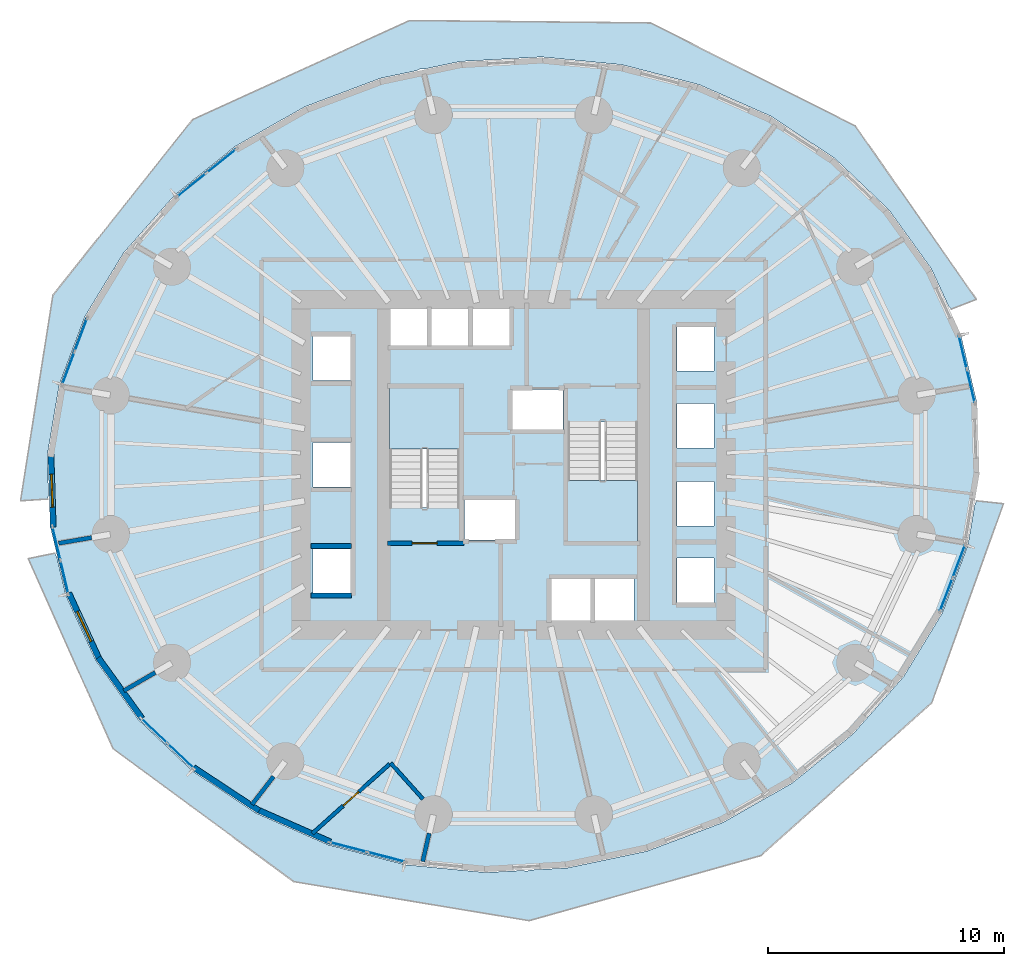
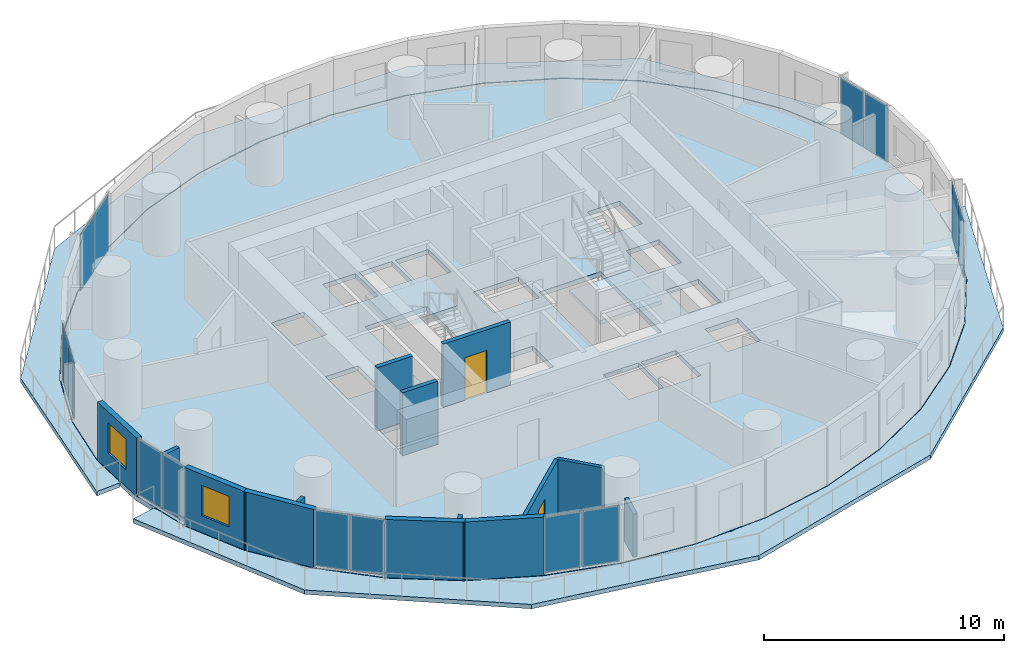
# One storey, part 6 of 14: 14 plates, 14 walls, 5 slabs, 2 doors, 2 windows, 4 openings, 9 elements without a shape of their own.
"""IFC4 building model written with IfcOpenShell, lengths in metres."""

from ifc_helpers import new_model, si_unit, direction, frame, frame_2d, origin, origin_2d, place, context, subcontext, project, spatial, polyline, rectangle, outline, extrude, material, layer, layer_set, type_object, element, fill, aggregate, save


model = new_model("IFC4")

# Units and contexts
model_context = context("Model", 3, precision=1e-05, world=origin(), true_north=direction((0.0, 1.0)))
body_context = subcontext(model_context, "Body", "Model", "MODEL_VIEW")
ifc_project = project(units=[si_unit("LENGTHUNIT", "METRE"), si_unit("AREAUNIT", "SQUARE_METRE"), si_unit("VOLUMEUNIT", "CUBIC_METRE"), si_unit("PLANEANGLEUNIT", "RADIAN"), si_unit("MASSUNIT", "GRAM", prefix="KILO")], contexts=[model_context])

# Site, building, storey
site_placement = place(None, origin())
site = spatial("IfcSite", under=ifc_project, at=site_placement, CompositionType="ELEMENT")
building_placement = place(site_placement, origin())
building = spatial("IfcBuilding", under=site, at=building_placement, Name="Veldorim Arch Residences", CompositionType="ELEMENT")
storey_placement = place(building_placement, frame((0.0, 0.0, 40.800048828125)))
storey = spatial("IfcBuildingStorey", under=building, at=storey_placement, Name="L11", CompositionType="ELEMENT", Elevation=40.800048828125)

# Slabs
ifc_material_1 = material(Name="Concrete C40/50", Category="concrete")
ifc_layer_1 = layer(ifc_material_1, 0.219970703125, Name="Planted Crescent Cantilever Balcony Slab 220")
ifc_layer_set_1 = layer_set([ifc_layer_1], Name="Concrete C40/50")
slab_type_1 = type_object("IfcSlabType", Name="Planted Crescent Cantilever Balcony Slab 220", PredefinedType="FLOOR", material=ifc_layer_set_1)
slab_1_placement = place(storey_placement, frame((0.0, 0.0, -0.219970703125)))
element("IfcSlab", 1, at=slab_1_placement, inside=storey, type_object=slab_type_1, Name="L11 planted crescent balcony slab A", PredefinedType="FLOOR", context=body_context, shape_type="SweptSolid", body=[
    extrude(outline(polyline([(50.406494140625, 30.739013671875), (49.69189453125, 32.292236328125), (47.8857421875, 34.797607421875), (45.596923828125, 36.97509765625), (42.89501953125, 38.7578125), (39.8623046875, 40.09228515625), (36.591064453125, 40.93798828125), (33.180419921875, 41.268798828125), (29.73388671875, 41.075439453125), (28.247802734375, 40.761962890625), (28.050048828125, 40.76171875), (27.86962890625, 40.682373046875), (26.356201171875, 40.36328125), (23.149658203125, 39.154052734375), (20.212158203125, 37.484375), (17.632568359375, 35.405029296875), (15.489501953125, 32.979248046875), (13.84765625, 30.2802734375), (12.7578125, 27.390380859375), (12.252197265625, 24.397216796875), (12.3046875, 22.734619140625), (12.264404296875, 22.548095703125), (11.11669921875, 22.47412109375), (12.486083984375, 31.179931640625), (18.40283203125, 38.614990234375), (27.594970703125, 42.811767578125), (37.791748046875, 42.710205078125), (46.4658203125, 38.35107421875), (51.596435546875, 31.006591796875), (50.525390625, 30.588134765625), (50.406494140625, 30.739013671875)])), origin(), (0.0, 0.0, 1.0), 0.219970703125),
])
slab_2_placement = place(storey_placement, frame((0.0, 0.0, -0.219970703125)))
element("IfcSlab", 2, at=slab_2_placement, inside=storey, type_object=slab_type_1, Name="L11 planted crescent balcony slab B", PredefinedType="FLOOR", context=body_context, shape_type="SweptSolid", body=[
    extrude(outline(polyline([(12.656494140625, 20.08447265625), (13.03955078125, 18.465576171875), (14.30810546875, 15.707763671875), (16.1142578125, 13.202392578125), (18.403076171875, 11.02490234375), (21.10498046875, 9.2421875), (24.1376953125, 7.90771484375), (27.408935546875, 7.06201171875), (30.819580078125, 6.731201171875), (32.364013671875, 6.81787109375), (32.55908203125, 6.7880859375), (32.750244140625, 6.839599609375), (34.26611328125, 6.924560546875), (37.643798828125, 7.63671875), (40.850341796875, 8.845947265625), (43.787841796875, 10.515625), (46.367431640625, 12.594970703125), (48.510498046875, 15.020751953125), (50.15234375, 17.7197265625), (51.2421875, 20.609619140625), (51.527099609375, 22.295654296875), (51.602294921875, 22.471923828125), (52.74560546875, 22.34765625), (49.70849609375, 13.9189453125), (42.4716796875, 7.4482421875), (32.654541015625, 4.6904296875), (22.685791015625, 6.34423828125), (15.03466796875, 11.978759765625), (11.441650390625, 20.02587890625), (12.56884765625, 20.253662109375), (12.656494140625, 20.08447265625)])), origin(), (0.0, 0.0, 1.0), 0.219970703125),
])

# Stair, slab
ifc_material_2 = material(Name="Concrete C40/50", Category="concrete")
stair_type = type_object("IfcStairType", Name="Reinforced Concrete Dogleg Exit Staircase", PredefinedType="HALF_TURN_STAIR", material=ifc_material_2)
stair_1_placement = place(storey_placement, origin())
stair_1 = element("IfcStair", 3, at=stair_1_placement, inside=storey, type_object=stair_type, Name="L11 Exit Staircase ST-1", PredefinedType="HALF_TURN_STAIR")
ifc_material_3 = material(Name="Concrete C40/50", Category="concrete")
ifc_layer_2 = layer(ifc_material_3, 0.199951171875, Name="Reinforced Concrete Stair Landing 200")
ifc_layer_set_2 = layer_set([ifc_layer_2], Name="Concrete C40/50")
slab_type_2 = type_object("IfcSlabType", Name="Reinforced Concrete Stair Landing 200", PredefinedType="LANDING", material=ifc_layer_set_2)
slab_3_placement = place(storey_placement, frame((0.0, 0.0, 1.39990234375)))
slab_3 = element("IfcSlab", 4, at=slab_3_placement, type_object=slab_type_2, Name="ST-1 landing 1", PredefinedType="LANDING", context=body_context, shape_type="SweptSolid", body=[
    extrude(outline(polyline([(29.7099609375, 24.669921875), (29.7099609375, 27.25), (26.75, 27.25), (26.75, 24.669921875), (29.7099609375, 24.669921875)])), origin(), (0.0, 0.0, 1.0), 0.199951171875),
])
aggregate(stair_1, [slab_3])

stair_2_placement = place(storey_placement, origin())
stair_2 = element("IfcStair", 5, at=stair_2_placement, inside=storey, type_object=stair_type, Name="L11 Exit Staircase ST-2", PredefinedType="HALF_TURN_STAIR")
slab_4_placement = place(storey_placement, frame((0.0, 0.0, 1.39990234375)))
slab_4 = element("IfcSlab", 6, at=slab_4_placement, type_object=slab_type_2, Name="ST-2 landing 1", PredefinedType="LANDING", context=body_context, shape_type="SweptSolid", body=[
    extrude(outline(polyline([(34.2900390625, 23.330078125), (34.2900390625, 20.75), (37.25, 20.75), (37.25, 23.330078125), (34.2900390625, 23.330078125)])), origin(), (0.0, 0.0, 1.0), 0.199951171875),
])
aggregate(stair_2, [slab_4])

# Slab
ifc_material_4 = material(Name="Concrete C40/50", Category="concrete")
ifc_layer_3 = layer(ifc_material_4, 0.239990234375, Name="Typical Residential Floor Slab 240")
ifc_layer_set_3 = layer_set([ifc_layer_3], Name="Concrete C40/50")
slab_type_3 = type_object("IfcSlabType", Name="Typical Residential Floor Slab 240", PredefinedType="FLOOR", material=ifc_layer_set_3)
slab_5_placement = place(storey_placement, frame((0.0, 0.0, -0.239990234375)))
element("IfcSlab", 7, at=slab_5_placement, inside=storey, type_object=slab_type_3, Name="L11 tower structural floor slab", PredefinedType="FLOOR", context=body_context, shape_type="SweptSolid", body=[
    extrude(outline(polyline([(51.6279296875, 26.60498046875), (50.936767578125, 29.526123046875), (49.670166015625, 32.279541015625), (47.86669921875, 34.78125), (45.581298828125, 36.955322265625), (42.883056640625, 38.73583984375), (39.854248046875, 40.068603515625), (36.586669921875, 40.9130859375), (33.1796875, 41.243896484375), (29.737060546875, 41.050537109375), (26.363037109375, 40.339111328125), (23.160400390625, 39.13134765625), (20.226318359375, 37.463623046875), (17.64990234375, 35.386962890625), (15.509521484375, 32.96435546875), (13.870361328125, 30.269287109375), (12.781982421875, 27.3837890625), (12.27734375, 24.3955078125), (12.3720703125, 21.39501953125), (13.063232421875, 18.473876953125), (14.329833984375, 15.720458984375), (16.13330078125, 13.21875), (18.418701171875, 11.044677734375), (21.116943359375, 9.26416015625), (24.145751953125, 7.931396484375), (27.413330078125, 7.0869140625), (30.8203125, 6.756103515625), (34.262939453125, 6.949462890625), (37.636962890625, 7.660888671875), (40.839599609375, 8.86865234375), (43.773681640625, 10.536376953125), (46.35009765625, 12.613037109375), (48.490478515625, 15.03564453125), (50.129638671875, 17.730712890625), (51.218017578125, 20.6162109375), (51.72265625, 23.6044921875), (51.6279296875, 26.60498046875)]), holes=[polyline([(23.510009765625, 20.43994140625), (25.090087890625, 20.43994140625), (25.090087890625, 18.56005859375), (23.510009765625, 18.56005859375), (23.510009765625, 20.43994140625)]), polyline([(29.909912109375, 22.544921875), (32.090087890625, 22.544921875), (32.090087890625, 20.81494140625), (29.909912109375, 20.81494140625), (29.909912109375, 22.544921875)]), polyline([(23.510009765625, 24.93994140625), (25.090087890625, 24.93994140625), (25.090087890625, 23.06005859375), (23.510009765625, 23.06005859375), (23.510009765625, 24.93994140625)]), polyline([(26.75, 27.25), (29.7099609375, 27.25), (29.7099609375, 22.195068359375), (26.75, 22.195068359375), (26.75, 27.25)]), polyline([(23.510009765625, 29.43994140625), (25.090087890625, 29.43994140625), (25.090087890625, 27.56005859375), (23.510009765625, 27.56005859375), (23.510009765625, 29.43994140625)]), polyline([(26.760009765625, 30.7900390625), (28.340087890625, 30.7900390625), (28.340087890625, 28.909912109375), (26.760009765625, 28.909912109375), (26.760009765625, 30.7900390625)]), polyline([(28.510009765625, 30.7900390625), (30.090087890625, 30.7900390625), (30.090087890625, 28.909912109375), (28.510009765625, 28.909912109375), (28.510009765625, 30.7900390625)]), polyline([(30.260009765625, 30.7900390625), (31.840087890625, 30.7900390625), (31.840087890625, 28.909912109375), (30.260009765625, 28.909912109375), (30.260009765625, 30.7900390625)]), polyline([(33.610107421875, 19.2900390625), (35.2900390625, 19.2900390625), (35.2900390625, 17.2099609375), (33.610107421875, 17.2099609375), (33.610107421875, 19.2900390625)]), polyline([(35.409912109375, 19.2900390625), (37.090087890625, 19.2900390625), (37.090087890625, 17.2099609375), (35.409912109375, 17.2099609375), (35.409912109375, 19.2900390625)]), polyline([(38.909912109375, 20.0400390625), (40.489990234375, 20.0400390625), (40.489990234375, 18.159912109375), (38.909912109375, 18.159912109375), (38.909912109375, 20.0400390625)]), polyline([(38.909912109375, 23.2900390625), (40.489990234375, 23.2900390625), (40.489990234375, 21.409912109375), (38.909912109375, 21.409912109375), (38.909912109375, 23.2900390625)]), polyline([(34.2900390625, 25.804931640625), (37.25, 25.804931640625), (37.25, 20.75), (34.2900390625, 20.75), (34.2900390625, 25.804931640625)]), polyline([(38.909912109375, 26.590087890625), (40.489990234375, 26.590087890625), (40.489990234375, 24.7099609375), (38.909912109375, 24.7099609375), (38.909912109375, 26.590087890625)]), polyline([(31.909912109375, 27.18505859375), (34.090087890625, 27.18505859375), (34.090087890625, 25.455078125), (31.909912109375, 25.455078125), (31.909912109375, 27.18505859375)]), polyline([(38.909912109375, 29.840087890625), (40.489990234375, 29.840087890625), (40.489990234375, 27.9599609375), (38.909912109375, 27.9599609375), (38.909912109375, 29.840087890625)])]), origin(), (0.0, 0.0, 1.0), 0.239990234375),
])

# Curtain wall, plates
ifc_material_5 = material(Name="Aluminium", Category="aluminium")
curtain_wall_type = type_object("IfcCurtainWallType", Name="Zone 1 Acoustic Low-E Unitised Curtain Wall", PredefinedType="NOTDEFINED", material=ifc_material_5)
curtain_wall_1_placement = place(storey_placement, origin())
curtain_wall_1 = element("IfcCurtainWall", 8, at=curtain_wall_1_placement, inside=storey, type_object=curtain_wall_type, Name="L11 unitised curtain wall bay 01", PredefinedType="NOTDEFINED")
ifc_material_6 = material(Name="Laminated Low-E Glass", Category="glass")
ifc_layer_4 = layer(ifc_material_6, 0.02587890625, Name="Zone 1 Acoustic Low-E Unitised Curtain Wall Glazing Panel 26")
ifc_layer_set_4 = layer_set([ifc_layer_4], Name="Laminated Low-E Glass")
plate_type = type_object("IfcPlateType", Name="Zone 1 Acoustic Low-E Unitised Curtain Wall Glazing Panel 26", PredefinedType="CURTAIN_PANEL", material=ifc_layer_set_4)
plate_1_placement = place(storey_placement, frame((51.025634765625, 28.75927734375, 0.06494140625), z_axis=(0.0, 0.0, 1.0), x_axis=(0.230257196808, -0.973129808051, 0.0)))
plate_1 = element("IfcPlate", 9, at=plate_1_placement, type_object=plate_type, Name="CW-Z1 panel 1.1", PredefinedType="CURTAIN_PANEL", context=body_context, shape_type="SweptSolid", body=[
    extrude(rectangle(XDim=1.4033203125, YDim=0.02587890625, at=origin_2d()), origin(), (0.0, 0.0, 1.0), 2.830078125),
])
plate_2_placement = place(storey_placement, frame((51.36376953125, 27.330322265625, 0.06494140625), z_axis=(0.0, 0.0, 1.0), x_axis=(0.230257196808, -0.973129808051, 0.0)))
plate_2 = element("IfcPlate", 10, at=plate_2_placement, type_object=plate_type, Name="CW-Z1 panel 2.1", PredefinedType="CURTAIN_PANEL", context=body_context, shape_type="SweptSolid", body=[
    extrude(rectangle(XDim=1.4033203125, YDim=0.02587890625, at=origin_2d()), origin(), (0.0, 0.0, 1.0), 2.830078125),
])
aggregate(curtain_wall_1, [plate_1, plate_2])

curtain_wall_2_placement = place(storey_placement, origin())
curtain_wall_2 = element("IfcCurtainWall", 11, at=curtain_wall_2_placement, inside=storey, type_object=curtain_wall_type, Name="L11 unitised curtain wall bay 13", PredefinedType="NOTDEFINED")
plate_3_placement = place(storey_placement, frame((18.363037109375, 35.84619140625, 0.06494140625), z_axis=(0.0, 0.0, 1.0), x_axis=(0.77856687477, 0.627561647578, 0.0)))
plate_3 = element("IfcPlate", 12, at=plate_3_placement, type_object=plate_type, Name="CW-Z1 panel 1.1", PredefinedType="CURTAIN_PANEL", context=body_context, shape_type="SweptSolid", body=[
    extrude(rectangle(XDim=1.55712890625, YDim=0.02587890625, at=origin_2d()), origin(), (0.0, 0.0, 1.0), 2.830078125),
])
plate_4_placement = place(storey_placement, frame((19.6259765625, 36.8642578125, 0.06494140625), z_axis=(0.0, 0.0, 1.0), x_axis=(0.77856687477, 0.627561647578, 0.0)))
plate_4 = element("IfcPlate", 13, at=plate_4_placement, type_object=plate_type, Name="CW-Z1 panel 2.1", PredefinedType="CURTAIN_PANEL", context=body_context, shape_type="SweptSolid", body=[
    extrude(rectangle(XDim=1.55712890625, YDim=0.02587890625, at=origin_2d()), origin(), (0.0, 0.0, 1.0), 2.830078125),
])
aggregate(curtain_wall_2, [plate_3, plate_4])

curtain_wall_3_placement = place(storey_placement, origin())
curtain_wall_3 = element("IfcCurtainWall", 14, at=curtain_wall_3_placement, inside=storey, type_object=curtain_wall_type, Name="L11 unitised curtain wall bay 16", PredefinedType="NOTDEFINED")
plate_5_placement = place(storey_placement, frame((13.14404296875, 28.088623046875, 0.06494140625), z_axis=(0.0, 0.0, 1.0), x_axis=(0.352913725454, 0.9356558675, 0.0)))
plate_5 = element("IfcPlate", 15, at=plate_5_placement, type_object=plate_type, Name="CW-Z1 panel 1.1", PredefinedType="CURTAIN_PANEL", context=body_context, shape_type="SweptSolid", body=[
    extrude(rectangle(XDim=1.444580078125, YDim=0.02587890625, at=origin_2d()), origin(), (0.0, 0.0, 1.0), 2.830078125),
])
plate_6_placement = place(storey_placement, frame((13.6767578125, 29.5009765625, 0.06494140625), z_axis=(0.0, 0.0, 1.0), x_axis=(0.352913725454, 0.9356558675, 0.0)))
plate_6 = element("IfcPlate", 16, at=plate_6_placement, type_object=plate_type, Name="CW-Z1 panel 2.1", PredefinedType="CURTAIN_PANEL", context=body_context, shape_type="SweptSolid", body=[
    extrude(rectangle(XDim=1.444580078125, YDim=0.02587890625, at=origin_2d()), origin(), (0.0, 0.0, 1.0), 2.830078125),
])
aggregate(curtain_wall_3, [plate_5, plate_6])

curtain_wall_4_placement = place(storey_placement, origin())
curtain_wall_4 = element("IfcCurtainWall", 17, at=curtain_wall_4_placement, inside=storey, type_object=curtain_wall_type, Name="L11 unitised curtain wall bay 19", PredefinedType="NOTDEFINED")
plate_7_placement = place(storey_placement, frame((12.974365234375, 19.24072265625, 0.06494140625), z_axis=(0.0, 0.0, 1.0), x_axis=(-0.230257196808, 0.973129808051, 0.0)))
plate_7 = element("IfcPlate", 18, at=plate_7_placement, type_object=plate_type, Name="CW-Z1 panel 1.1", PredefinedType="CURTAIN_PANEL", context=body_context, shape_type="SweptSolid", body=[
    extrude(rectangle(XDim=1.4033203125, YDim=0.02587890625, at=origin_2d()), origin(), (0.0, 0.0, 1.0), 2.830078125),
])
plate_8_placement = place(storey_placement, frame((12.63623046875, 20.669677734375, 0.06494140625), z_axis=(0.0, 0.0, 1.0), x_axis=(-0.230257196808, 0.973129808051, 0.0)))
plate_8 = element("IfcPlate", 19, at=plate_8_placement, type_object=plate_type, Name="CW-Z1 panel 2.1", PredefinedType="CURTAIN_PANEL", context=body_context, shape_type="SweptSolid", body=[
    extrude(rectangle(XDim=1.4033203125, YDim=0.02587890625, at=origin_2d()), origin(), (0.0, 0.0, 1.0), 2.830078125),
])
aggregate(curtain_wall_4, [plate_7, plate_8])

curtain_wall_5_placement = place(storey_placement, origin())
curtain_wall_5 = element("IfcCurtainWall", 20, at=curtain_wall_5_placement, inside=storey, type_object=curtain_wall_type, Name="L11 unitised curtain wall bay 22", PredefinedType="NOTDEFINED")
plate_9_placement = place(storey_placement, frame((17.8974609375, 11.66455078125, 0.06494140625), z_axis=(0.0, 0.0, 1.0), x_axis=(-0.724528330111, 0.689245020922, 0.0)))
plate_9 = element("IfcPlate", 21, at=plate_9_placement, type_object=plate_type, Name="CW-Z1 panel 1.1", PredefinedType="CURTAIN_PANEL", context=body_context, shape_type="SweptSolid", body=[
    extrude(rectangle(XDim=1.479736328125, YDim=0.02587890625, at=origin_2d()), origin(), (0.0, 0.0, 1.0), 2.830078125),
])
plate_10_placement = place(storey_placement, frame((16.7783203125, 12.729248046875, 0.06494140625), z_axis=(0.0, 0.0, 1.0), x_axis=(-0.724528330111, 0.689245020922, 0.0)))
plate_10 = element("IfcPlate", 22, at=plate_10_placement, type_object=plate_type, Name="CW-Z1 panel 2.1", PredefinedType="CURTAIN_PANEL", context=body_context, shape_type="SweptSolid", body=[
    extrude(rectangle(XDim=1.479736328125, YDim=0.02587890625, at=origin_2d()), origin(), (0.0, 0.0, 1.0), 2.830078125),
])
aggregate(curtain_wall_5, [plate_9, plate_10])

curtain_wall_6_placement = place(storey_placement, origin())
curtain_wall_6 = element("IfcCurtainWall", 23, at=curtain_wall_6_placement, inside=storey, type_object=curtain_wall_type, Name="L11 unitised curtain wall bay 25", PredefinedType="NOTDEFINED")
plate_11_placement = place(storey_placement, frame((26.603271484375, 7.38916015625, 0.06494140625), z_axis=(0.0, 0.0, 1.0), x_axis=(-0.968178730436, 0.250259756916, 0.0)))
plate_11 = element("IfcPlate", 24, at=plate_11_placement, type_object=plate_type, Name="CW-Z1 panel 1.1", PredefinedType="CURTAIN_PANEL", context=body_context, shape_type="SweptSolid", body=[
    extrude(rectangle(XDim=1.58984375, YDim=0.02587890625, at=origin_2d()), origin(), (0.0, 0.0, 1.0), 2.830078125),
])
plate_12_placement = place(storey_placement, frame((25.0009765625, 7.80322265625, 0.06494140625), z_axis=(0.0, 0.0, 1.0), x_axis=(-0.968178730436, 0.250259756916, 0.0)))
plate_12 = element("IfcPlate", 25, at=plate_12_placement, type_object=plate_type, Name="CW-Z1 panel 2.1", PredefinedType="CURTAIN_PANEL", context=body_context, shape_type="SweptSolid", body=[
    extrude(rectangle(XDim=1.58984375, YDim=0.02587890625, at=origin_2d()), origin(), (0.0, 0.0, 1.0), 2.830078125),
])
aggregate(curtain_wall_6, [plate_11, plate_12])

curtain_wall_7_placement = place(storey_placement, origin())
curtain_wall_7 = element("IfcCurtainWall", 26, at=curtain_wall_7_placement, inside=storey, type_object=curtain_wall_type, Name="L11 unitised curtain wall bay 34", PredefinedType="NOTDEFINED")
plate_13_placement = place(storey_placement, frame((50.85595703125, 19.911376953125, 0.06494140625), z_axis=(0.0, 0.0, 1.0), x_axis=(-0.352913725454, -0.9356558675, 0.0)))
plate_13 = element("IfcPlate", 27, at=plate_13_placement, type_object=plate_type, Name="CW-Z1 panel 1.1", PredefinedType="CURTAIN_PANEL", context=body_context, shape_type="SweptSolid", body=[
    extrude(rectangle(XDim=1.444580078125, YDim=0.02587890625, at=origin_2d()), origin(), (0.0, 0.0, 1.0), 2.830078125),
])
plate_14_placement = place(storey_placement, frame((50.3232421875, 18.4990234375, 0.06494140625), z_axis=(0.0, 0.0, 1.0), x_axis=(-0.352913725454, -0.9356558675, 0.0)))
plate_14 = element("IfcPlate", 28, at=plate_14_placement, type_object=plate_type, Name="CW-Z1 panel 2.1", PredefinedType="CURTAIN_PANEL", context=body_context, shape_type="SweptSolid", body=[
    extrude(rectangle(XDim=1.444580078125, YDim=0.02587890625, at=origin_2d()), origin(), (0.0, 0.0, 1.0), 2.830078125),
])
aggregate(curtain_wall_7, [plate_13, plate_14])

# Walls
ifc_material_7 = material(Name="Lightweight Masonry Block & Gypsum", Category="masonry")
ifc_layer_5 = layer(ifc_material_7, 0.179931640625, Name="Compartment & Corridor Fire-Rated Party Wall 180")
ifc_layer_set_5 = layer_set([ifc_layer_5], Name="Lightweight Masonry Block & Gypsum")
wall_type_1 = type_object("IfcWallType", Name="Compartment & Corridor Fire-Rated Party Wall 180", PredefinedType="PARTITIONING", material=ifc_layer_set_5)
wall_1_placement = place(storey_placement, frame((14.126220703125, 20.91455078125, 0.0), z_axis=(0.0, 0.0, 1.0), x_axis=(-0.985419363098, -0.170143112797, 0.0)))
element("IfcWall", 29, at=wall_1_placement, inside=storey, type_object=wall_type_1, Name="L11 interior wall WL-PIER-L11-09", PredefinedType="PARTITIONING", context=body_context, shape_type="SweptSolid", body=[
    extrude(rectangle(XDim=1.419189453125, YDim=0.179931640625, at=frame_2d((0.70947265625, 0.0))), origin(), (0.0, 0.0, 1.0), 2.17822265625),
])
wall_2_placement = place(storey_placement, frame((16.822998046875, 15.19970703125, 0.0), z_axis=(0.0, 0.0, 1.0), x_axis=(-0.865036673907, -0.501708633369, 0.0)))
element("IfcWall", 30, at=wall_2_placement, inside=storey, type_object=wall_type_1, Name="L11 interior wall WL-PIER-L11-10", PredefinedType="PARTITIONING", context=body_context, shape_type="SweptSolid", body=[
    extrude(rectangle(XDim=1.54541015625, YDim=0.179931640625, at=frame_2d((0.772705078125, 0.0))), origin(), (0.0, 0.0, 1.0), 2.17822265625),
])
wall_3_placement = place(storey_placement, frame((21.832763671875, 10.795166015625, 0.0), z_axis=(0.0, 0.0, 1.0), x_axis=(-0.609978856004, -0.792417689876, 0.0)))
element("IfcWall", 31, at=wall_3_placement, inside=storey, type_object=wall_type_1, Name="L11 interior wall WL-PIER-L11-11", PredefinedType="PARTITIONING", context=body_context, shape_type="SweptSolid", body=[
    extrude(rectangle(XDim=1.49609375, YDim=0.179931640625, at=frame_2d((0.748046875, 0.0))), origin(), (0.0, 0.0, 1.0), 2.17822265625),
])
wall_4_placement = place(storey_placement, frame((28.422119140625, 8.390869140625, 0.0), z_axis=(0.0, 0.0, 1.0), x_axis=(-0.223317008343, -0.974745871386, 0.0)))
element("IfcWall", 32, at=wall_4_placement, inside=storey, type_object=wall_type_1, Name="L11 interior wall WL-PIER-L11-12", PredefinedType="PARTITIONING", context=body_context, shape_type="SweptSolid", body=[
    extrude(rectangle(XDim=1.2255859375, YDim=0.179931640625, at=frame_2d((0.61279296875, 0.0))), origin(), (0.0, 0.0, 1.0), 2.17822265625),
])

# Wall, opening, door
ifc_material_8 = material(Name="Concrete C50/60", Category="concrete")
ifc_layer_6 = layer(ifc_material_8, 0.199951171875, Name="Core Stair & Lift Shaft Enclosure Wall 200")
ifc_layer_set_6 = layer_set([ifc_layer_6], Name="Concrete C50/60")
wall_type_2 = type_object("IfcWallType", Name="Core Stair & Lift Shaft Enclosure Wall 200", PredefinedType="SHEAR", material=ifc_layer_set_6)
wall_5_placement = place(storey_placement, frame((26.64990234375, 20.669921875, 0.0), z_axis=(0.0, 0.0, 1.0), x_axis=(1.0, 0.0, 0.0)))
wall_5 = element("IfcWall", 33, at=wall_5_placement, inside=storey, type_object=wall_type_2, Name="L11 shaft wall WL-SHF-L11-ST1-S", PredefinedType="SHEAR", context=body_context, shape_type="SweptSolid", body=[
    extrude(rectangle(XDim=3.239990234375, YDim=0.199951171875, at=frame_2d((1.6201171875, 0.0))), origin(), (0.0, 0.0, 1.0), 3.199951171875),
])
opening_1_placement = place(wall_5_placement, frame((1.054931640625, 0.0, 0.0)))
opening_1 = element("IfcOpeningElement", 34, at=opening_1_placement, cuts=wall_5, Name="Opening DR-ST", PredefinedType="OPENING", context=body_context, shape_type="SweptSolid", body=[
    extrude(rectangle(XDim=1.050048828125, YDim=2.14990234375, at=frame_2d((0.52490234375, 1.074951171875))), frame((0.0, 0.10986328125, 0.0), z_axis=(0.0, -1.0, 0.0), x_axis=(1.0, 0.0, 0.0)), (0.0, 0.0, 1.0), 0.219970703125),
])
ifc_material_9 = material(Name="Fire-Rated Steel", Category="steel")
door_type_1 = type_object("IfcDoorType", Name="Exit Staircase Self-Closing Fire Door 1050x2150", OperationType="SINGLE_SWING_LEFT", PredefinedType="DOOR", material=ifc_material_9)
door_1_placement = place(opening_1_placement, origin())
door_1 = element("IfcDoor", 35, at=door_1_placement, inside=storey, type_object=door_type_1, Name="L11 interior door DR-L11-ST1", OperationType="SINGLE_SWING_LEFT", OverallHeight=2.14990234375, OverallWidth=1.050048828125, PredefinedType="DOOR", context=body_context, shape_type="SweptSolid", body=[
    extrude(rectangle(XDim=1.050048828125, YDim=2.14990234375, at=frame_2d((0.52490234375, 1.074951171875))), frame((0.0, 0.02490234375, 0.0), z_axis=(0.0, -1.0, 0.0), x_axis=(1.0, 0.0, 0.0)), (0.0, 0.0, 1.0), 0.050048828125),
])
fill(opening_1, door_1)

# Walls
for number, where, z_axis, x_axis, name in (
    (36, (23.419921875, 18.4599609375, 0.0), (0.0, 0.0, 1.0), (1.0, 0.0, 0.0), "L11 shaft wall WL-B2-L11-S"),
    (37, (23.419921875, 20.56005859375, 0.0), (0.0, 0.0, 1.0), (1.0, 0.0, 0.0), "L11 shaft wall WL-B2-L11-D1A"),
):
    element("IfcWall", number, at=place(storey_placement, frame(where, z_axis=z_axis, x_axis=x_axis)), inside=storey, type_object=wall_type_2, Name=name, PredefinedType="SHEAR", context=body_context, shape_type="SweptSolid", body=[
        extrude(rectangle(XDim=1.7099609375, YDim=0.199951171875, at=frame_2d((0.85498046875, 0.0))), origin(), (0.0, 0.0, 1.0), 3.199951171875),
    ])

# Wall, opening, window
ifc_material_10 = material(Name="Precast concrete C40/50", Category="concrete")
ifc_layer_7 = layer(ifc_material_10, 0.25, Name="Tower Terracotta Spandrel & Pier Wall 250")
ifc_layer_set_7 = layer_set([ifc_layer_7], Name="Precast concrete C40/50")
wall_type_3 = type_object("IfcWallType", Name="Tower Terracotta Spandrel & Pier Wall 250", PredefinedType="SOLIDWALL", material=ifc_layer_set_7)
wall_6_placement = place(storey_placement, frame((12.49853515625, 21.35400390625, 0.0), z_axis=(0.0, 0.0, 1.0), x_axis=(-0.031584802517, 0.999501075662, 0.0)))
wall_6 = element("IfcWall", 38, at=wall_6_placement, inside=storey, type_object=wall_type_3, Name="L11 terracotta facade wall 18", PredefinedType="SOLIDWALL", context=body_context, shape_type="SweptSolid", body=[
    extrude(rectangle(XDim=3.091796875, YDim=0.25, at=frame_2d((1.5458984375, 0.0))), origin(), (0.0, 0.0, 1.0), 2.9599609375),
])
opening_2_placement = place(wall_6_placement, frame((0.845947265625, 0.0, 0.85009765625)))
opening_2 = element("IfcOpeningElement", 39, at=opening_2_placement, cuts=wall_6, Name="Opening WN-02", PredefinedType="OPENING", context=body_context, shape_type="SweptSolid", body=[
    extrude(rectangle(XDim=1.39990234375, YDim=1.550048828125, at=frame_2d((0.699951171875, 0.77490234375))), frame((0.0, 0.135009765625, 0.0), z_axis=(0.0, -1.0, 0.0), x_axis=(1.0, 0.0, 0.0)), (0.0, 0.0, 1.0), 0.27001953125),
])
ifc_material_11 = material(Name="Laminated Low-E Glass", Category="glass")
window_type = type_object("IfcWindowType", Name="Residential Casement Window 1400x1550", PartitioningType="SINGLE_PANEL", PredefinedType="WINDOW", material=ifc_material_11)
window_1_placement = place(opening_2_placement, origin())
window_1 = element("IfcWindow", 40, at=window_1_placement, inside=storey, type_object=window_type, Name="L11 solar-control facade window 18", OverallHeight=1.550048828125, OverallWidth=1.39990234375, PartitioningType="SINGLE_PANEL", PredefinedType="WINDOW", context=body_context, shape_type="SweptSolid", body=[
    extrude(rectangle(XDim=1.39990234375, YDim=1.550048828125, at=frame_2d((0.699951171875, 0.77490234375))), frame((0.0, 0.030029296875, 0.0), z_axis=(0.0, -1.0, 0.0), x_axis=(1.0, 0.0, 0.0)), (0.0, 0.0, 1.0), 0.06005859375),
])
fill(opening_2, window_1)

wall_7_placement = place(storey_placement, frame((14.462158203125, 15.73193359375, 0.0), z_axis=(0.0, 0.0, 1.0), x_axis=(-0.417872029175, 0.908505898293, 0.0)))
wall_7 = element("IfcWall", 41, at=wall_7_placement, inside=storey, type_object=wall_type_3, Name="L11 terracotta facade wall 20", PredefinedType="SOLIDWALL", context=body_context, shape_type="SweptSolid", body=[
    extrude(rectangle(XDim=3.120361328125, YDim=0.25, at=frame_2d((1.56005859375, 0.0))), origin(), (0.0, 0.0, 1.0), 2.9599609375),
])
opening_3_placement = place(wall_7_placement, frame((0.860107421875, 0.0, 0.85009765625)))
opening_3 = element("IfcOpeningElement", 42, at=opening_3_placement, cuts=wall_7, Name="Opening WN-02", PredefinedType="OPENING", context=body_context, shape_type="SweptSolid", body=[
    extrude(rectangle(XDim=1.39990234375, YDim=1.550048828125, at=frame_2d((0.699951171875, 0.77490234375))), frame((0.0, 0.135009765625, 0.0), z_axis=(0.0, -1.0, 0.0), x_axis=(1.0, 0.0, 0.0)), (0.0, 0.0, 1.0), 0.27001953125),
])
window_2_placement = place(opening_3_placement, origin())
window_2 = element("IfcWindow", 43, at=window_2_placement, inside=storey, type_object=window_type, Name="L11 solar-control facade window 20", OverallHeight=1.550048828125, OverallWidth=1.39990234375, PartitioningType="SINGLE_PANEL", PredefinedType="WINDOW", context=body_context, shape_type="SweptSolid", body=[
    extrude(rectangle(XDim=1.39990234375, YDim=1.550048828125, at=frame_2d((0.699951171875, 0.77490234375))), frame((0.0, 0.030029296875, 0.0), z_axis=(0.0, -1.0, 0.0), x_axis=(1.0, 0.0, 0.0)), (0.0, 0.0, 1.0), 0.06005859375),
])
fill(opening_3, window_2)

# Walls
wall_8_placement = place(storey_placement, frame((16.260986328125, 13.25537109375, 0.0), z_axis=(0.0, 0.0, 1.0), x_axis=(-0.584805106467, 0.811173833066, 0.0)))
element("IfcWall", 44, at=wall_8_placement, inside=storey, type_object=wall_type_3, Name="L11 terracotta facade wall 21", PredefinedType="SOLIDWALL", context=body_context, shape_type="SweptSolid", body=[
    extrude(rectangle(XDim=3.174072265625, YDim=0.25, at=frame_2d((1.5869140625, 0.0))), origin(), (0.0, 0.0, 1.0), 2.9599609375),
])
wall_9_placement = place(storey_placement, frame((21.223388671875, 9.343505859375, 0.0), z_axis=(0.0, 0.0, 1.0), x_axis=(-0.834663448541, 0.550760317805, 0.0)))
element("IfcWall", 45, at=wall_9_placement, inside=storey, type_object=wall_type_3, Name="L11 terracotta facade wall 23", PredefinedType="SOLIDWALL", context=body_context, shape_type="SweptSolid", body=[
    extrude(rectangle(XDim=3.32275390625, YDim=0.25, at=frame_2d((1.661376953125, 0.0))), origin(), (0.0, 0.0, 1.0), 2.9599609375),
])
wall_10_placement = place(storey_placement, frame((24.2373046875, 8.027587890625, 0.0), z_axis=(0.0, 0.0, 1.0), x_axis=(-0.915312914138, 0.402743428515, 0.0)))
element("IfcWall", 46, at=wall_10_placement, inside=storey, type_object=wall_type_3, Name="L11 terracotta facade wall 24", PredefinedType="SOLIDWALL", context=body_context, shape_type="SweptSolid", body=[
    extrude(rectangle(XDim=3.39892578125, YDim=0.25, at=frame_2d((1.699462890625, 0.0))), origin(), (0.0, 0.0, 1.0), 2.9599609375),
])
ifc_material_12 = material(Name="Moisture-Resistant Gypsum & Stud", Category="gypsum")
ifc_layer_8 = layer(ifc_material_12, 0.159912109375, Name="Wet-Area Moisture-Resistant Plumbing Wall 160")
ifc_layer_set_8 = layer_set([ifc_layer_8], Name="Moisture-Resistant Gypsum & Stud")
wall_type_4 = type_object("IfcWallType", Name="Wet-Area Moisture-Resistant Plumbing Wall 160", PredefinedType="PLUMBINGWALL", material=ifc_layer_set_8)
wall_11_placement = place(storey_placement, frame((28.164306640625, 9.83740234375, 0.0), z_axis=(0.0, 0.0, 1.0), x_axis=(-0.668451915184, 0.743755361048, 0.0)))
element("IfcWall", 47, at=wall_11_placement, inside=storey, type_object=wall_type_4, Name="L11 interior wall WL-RES-L11-021", PredefinedType="PLUMBINGWALL", context=body_context, shape_type="SweptSolid", body=[
    extrude(rectangle(XDim=2.05224609375, YDim=0.159912109375, at=frame_2d((1.026123046875, 0.0))), origin(), (0.0, 0.0, 1.0), 2.954833984375),
])

# Wall, opening, door
wall_12_placement = place(storey_placement, frame((26.747802734375, 11.32373046875, 0.0), z_axis=(0.0, 0.0, 1.0), x_axis=(-0.743726854299, -0.668483631957, 0.0)))
wall_12 = element("IfcWall", 48, at=wall_12_placement, inside=storey, type_object=wall_type_4, Name="L11 interior wall WL-RES-L11-022", PredefinedType="PLUMBINGWALL", context=body_context, shape_type="SweptSolid", body=[
    extrude(rectangle(XDim=4.403076171875, YDim=0.159912109375, at=frame_2d((2.20166015625, 0.0))), origin(), (0.0, 0.0, 1.0), 2.954833984375),
])
opening_4_placement = place(wall_12_placement, frame((1.75146484375, 0.0, 0.0)))
opening_4 = element("IfcOpeningElement", 49, at=opening_4_placement, cuts=wall_12, Name="Opening DR-WC", PredefinedType="OPENING", context=body_context, shape_type="SweptSolid", body=[
    extrude(rectangle(XDim=0.89990234375, YDim=2.10009765625, at=frame_2d((0.449951171875, 1.050048828125))), frame((0.0, 0.08984375, 0.0), z_axis=(0.0, -1.0, 0.0), x_axis=(1.0, 0.0, 0.0)), (0.0, 0.0, 1.0), 0.179931640625),
])
ifc_material_13 = material(Name="Laminate Timber", Category="wood")
door_type_2 = type_object("IfcDoorType", Name="Bathroom & Accessible WC Moisture-Sealed Door 900x2100", OperationType="SINGLE_SWING_LEFT", PredefinedType="DOOR", material=ifc_material_13)
door_2_placement = place(opening_4_placement, origin())
door_2 = element("IfcDoor", 50, at=door_2_placement, inside=storey, type_object=door_type_2, Name="L11 interior door DR-RES-L11-015", OperationType="SINGLE_SWING_LEFT", OverallHeight=2.10009765625, OverallWidth=0.89990234375, PredefinedType="DOOR", context=body_context, shape_type="SweptSolid", body=[
    extrude(rectangle(XDim=0.89990234375, YDim=2.10009765625, at=frame_2d((0.449951171875, 1.050048828125))), frame((0.0, 0.02490234375, 0.0), z_axis=(0.0, -1.0, 0.0), x_axis=(1.0, 0.0, 0.0)), (0.0, 0.0, 1.0), 0.050048828125),
])
fill(opening_4, door_2)

save(model, "model.ifc")
